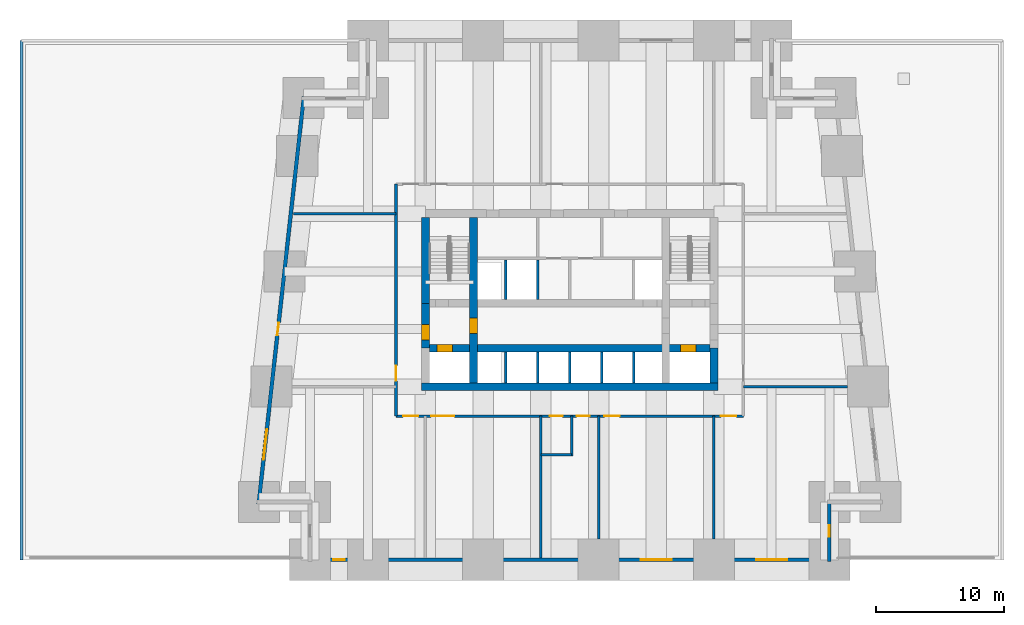
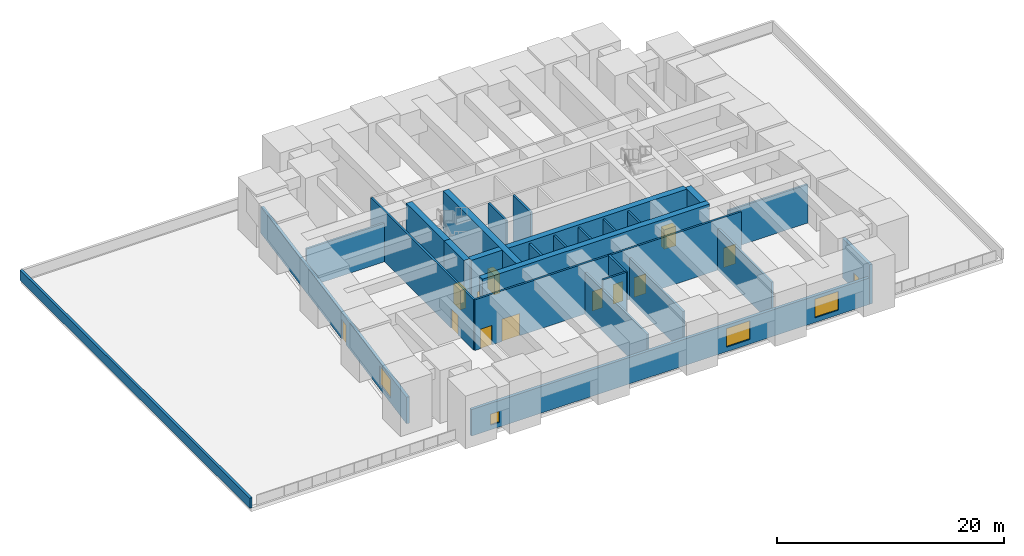
# One storey, part 3 of 7: 26 walls, 12 doors, 5 windows, 17 openings.
"""IFC4 building model written with IfcOpenShell, lengths in metres."""

from ifc_helpers import new_model, si_unit, direction, frame, frame_2d, origin, place, context, subcontext, project, spatial, rectangle, extrude, material, layer, layer_set, type_object, element, fill, save


model = new_model("IFC4")

# Units and contexts
model_context = context("Model", 3, precision=1e-05, world=origin(), true_north=direction((0.0, 1.0)))
body_context = subcontext(model_context, "Body", "Model", "MODEL_VIEW")
ifc_project = project(units=[si_unit("LENGTHUNIT", "METRE"), si_unit("AREAUNIT", "SQUARE_METRE"), si_unit("VOLUMEUNIT", "CUBIC_METRE"), si_unit("PLANEANGLEUNIT", "RADIAN"), si_unit("MASSUNIT", "GRAM", prefix="KILO")], contexts=[model_context])

# Site, building, storey
site_placement = place(None, origin())
site = spatial("IfcSite", under=ifc_project, at=site_placement, CompositionType="ELEMENT")
building_placement = place(site_placement, origin())
building = spatial("IfcBuilding", under=site, at=building_placement, Name="Kilele Tower Hotel", CompositionType="ELEMENT")
storey_placement = place(building_placement, frame((0.0, 0.0, 24.0)))
storey = spatial("IfcBuildingStorey", under=building, at=storey_placement, Name="L04", CompositionType="ELEMENT", Elevation=24.0)

# Wall
ifc_material_1 = material(Name="Concrete C60/75", Category="concrete")
ifc_layer_1 = layer(ifc_material_1, 0.60009765625)
ifc_layer_set_1 = layer_set([ifc_layer_1], Name="Concrete C60/75")
wall_type_1 = type_object("IfcWallType", Name="Core wall 600 C60/75", PredefinedType="SHEAR", material=ifc_layer_set_1)
wall_1_placement = place(storey_placement, frame((13.199951171875, 13.5, 0.0), z_axis=(0.0, 0.0, 1.0), x_axis=(1.0, 0.0, 0.0)))
element("IfcWall", 1, at=wall_1_placement, inside=storey, type_object=wall_type_1, Name="Core wall S L04", PredefinedType="SHEAR", context=body_context, shape_type="SweptSolid", body=[
    extrude(rectangle(XDim=23.10009765625, YDim=0.60009765625, at=frame_2d((11.550048828125, 0.0))), origin(), (0.0, 0.0, 1.0), 5.699951171875),
])

# Wall, opening, door
wall_2_placement = place(storey_placement, frame((17.25, 13.800048828125, 0.0), z_axis=(0.0, 0.0, 1.0), x_axis=(0.0, 1.0, 0.0)))
wall_2 = element("IfcWall", 2, at=wall_2_placement, inside=storey, type_object=wall_type_1, Name="Core wall IW L04", PredefinedType="SHEAR", context=body_context, shape_type="SweptSolid", body=[
    extrude(rectangle(XDim=12.89990234375, YDim=0.60009765625, at=frame_2d((6.449951171875, 0.0))), origin(), (0.0, 0.0, 1.0), 5.699951171875),
])
opening_1_placement = place(wall_2_placement, frame((3.85009765625, 0.0, 0.0)))
opening_1 = element("IfcOpeningElement", 3, at=opening_1_placement, cuts=wall_2, Name="Opening D4", PredefinedType="OPENING", context=body_context, shape_type="SweptSolid", body=[
    extrude(rectangle(XDim=1.199951171875, YDim=2.10009765625, at=frame_2d((0.60009765625, 1.050048828125))), frame((0.0, 0.31005859375, 0.0), z_axis=(0.0, -1.0, 0.0), x_axis=(1.0, 0.0, 0.0)), (0.0, 0.0, 1.0), 0.6201171875),
])
ifc_material_2 = material(Name="Timber door leaf in hardwood frame", Category="wood")
door_type_1 = type_object("IfcDoorType", Name="Firefighting lobby door 1200", OperationType="SINGLE_SWING_LEFT", PredefinedType="DOOR", material=ifc_material_2)
door_1_placement = place(opening_1_placement, origin())
door_1 = element("IfcDoor", 4, at=door_1_placement, inside=storey, type_object=door_type_1, Name="Lobby door L04", OperationType="SINGLE_SWING_LEFT", OverallHeight=2.10009765625, OverallWidth=1.199951171875, PredefinedType="DOOR", context=body_context, shape_type="SweptSolid", body=[
    extrude(rectangle(XDim=1.199951171875, YDim=2.10009765625, at=frame_2d((0.60009765625, 1.050048828125))), frame((0.0, 0.2998046875, 0.0), z_axis=(0.0, -1.0, 0.0), x_axis=(1.0, 0.0, 0.0)), (0.0, 0.0, 1.0), 0.599609375),
])
fill(opening_1, door_1)

# Wall, openings, doors
wall_3_placement = place(storey_placement, frame((13.800048828125, 16.5, 0.0), z_axis=(0.0, 0.0, 1.0), x_axis=(1.0, 0.0, 0.0)))
wall_3 = element("IfcWall", 5, at=wall_3_placement, inside=storey, type_object=wall_type_1, Name="Core wall LS L04", PredefinedType="SHEAR", context=body_context, shape_type="SweptSolid", body=[
    extrude(rectangle(XDim=21.89990234375, YDim=0.60009765625, at=frame_2d((10.949951171875, 0.0))), origin(), (0.0, 0.0, 1.0), 5.699951171875),
])
opening_2_placement = place(wall_3_placement, frame((0.60009765625, 0.0, 0.0)))
opening_2 = element("IfcOpeningElement", 6, at=opening_2_placement, cuts=wall_3, Name="Opening LD2", PredefinedType="OPENING", context=body_context, shape_type="SweptSolid", body=[
    extrude(rectangle(XDim=1.199951171875, YDim=2.10009765625, at=frame_2d((0.60009765625, 1.050048828125))), frame((0.0, 0.31005859375, 0.0), z_axis=(0.0, -1.0, 0.0), x_axis=(1.0, 0.0, 0.0)), (0.0, 0.0, 1.0), 0.6201171875),
])
opening_3_placement = place(wall_3_placement, frame((19.60009765625, 0.0, 0.0)))
opening_3 = element("IfcOpeningElement", 7, at=opening_3_placement, cuts=wall_3, Name="Opening LD2", PredefinedType="OPENING", context=body_context, shape_type="SweptSolid", body=[
    extrude(rectangle(XDim=1.199951171875, YDim=2.10009765625, at=frame_2d((0.60009765625, 1.050048828125))), frame((0.0, 0.31005859375, 0.0), z_axis=(0.0, -1.0, 0.0), x_axis=(1.0, 0.0, 0.0)), (0.0, 0.0, 1.0), 0.6201171875),
])
ifc_material_3 = material(Name="Steel lift landing door", Category="steel")
door_type_2 = type_object("IfcDoorType", Name="Firefighting lift landing door 1200", OperationType="SLIDING_TO_LEFT", PredefinedType="DOOR", material=ifc_material_3)
door_2_placement = place(opening_2_placement, origin())
door_2 = element("IfcDoor", 8, at=door_2_placement, inside=storey, type_object=door_type_2, Name="Landing door FFW L04", OperationType="SLIDING_TO_LEFT", OverallHeight=2.10009765625, OverallWidth=1.199951171875, PredefinedType="DOOR", context=body_context, shape_type="SweptSolid", body=[
    extrude(rectangle(XDim=1.199951171875, YDim=2.10009765625, at=frame_2d((0.60009765625, 1.050048828125))), frame((0.0, 0.2998046875, 0.0), z_axis=(0.0, -1.0, 0.0), x_axis=(1.0, 0.0, 0.0)), (0.0, 0.0, 1.0), 0.599609375),
])
fill(opening_2, door_2)
door_3_placement = place(opening_3_placement, origin())
door_3 = element("IfcDoor", 9, at=door_3_placement, inside=storey, type_object=door_type_2, Name="Landing door FFE L04", OperationType="SLIDING_TO_LEFT", OverallHeight=2.10009765625, OverallWidth=1.199951171875, PredefinedType="DOOR", context=body_context, shape_type="SweptSolid", body=[
    extrude(rectangle(XDim=1.199951171875, YDim=2.10009765625, at=frame_2d((0.60009765625, 1.050048828125))), frame((0.0, 0.2998046875, 0.0), z_axis=(0.0, -1.0, 0.0), x_axis=(1.0, 0.0, 0.0)), (0.0, 0.0, 1.0), 0.599609375),
])
fill(opening_3, door_3)

# Wall
wall_4_placement = place(storey_placement, frame((13.5, 26.699951171875, 0.0), z_axis=(0.0, 0.0, 1.0), x_axis=(0.0, -1.0, 0.0)))
element("IfcWall", 10, at=wall_4_placement, inside=storey, type_object=wall_type_1, Name="Core wall W1 L04", PredefinedType="SHEAR", context=body_context, shape_type="SweptSolid", body=[
    extrude(rectangle(XDim=6.699951171875, YDim=0.60009765625, at=frame_2d((3.35009765625, 0.0))), origin(), (0.0, 0.0, 1.0), 5.699951171875),
])

# Wall, opening, door
wall_5_placement = place(storey_placement, frame((13.5, 20.0, 0.0), z_axis=(0.0, 0.0, 1.0), x_axis=(0.0, -1.0, 0.0)))
wall_5 = element("IfcWall", 11, at=wall_5_placement, inside=storey, type_object=wall_type_1, Name="Core wall W2 L04", PredefinedType="SHEAR", context=body_context, shape_type="SweptSolid", body=[
    extrude(rectangle(XDim=3.5, YDim=0.60009765625, at=frame_2d((1.75, 0.0))), origin(), (0.0, 0.0, 1.0), 5.699951171875),
])
opening_4_placement = place(wall_5_placement, frame((1.64990234375, 0.0, 0.0)))
opening_4 = element("IfcOpeningElement", 12, at=opening_4_placement, cuts=wall_5, Name="Opening D4", PredefinedType="OPENING", context=body_context, shape_type="SweptSolid", body=[
    extrude(rectangle(XDim=1.199951171875, YDim=2.10009765625, at=frame_2d((0.60009765625, 1.050048828125))), frame((0.0, 0.31005859375, 0.0), z_axis=(0.0, -1.0, 0.0), x_axis=(1.0, 0.0, 0.0)), (0.0, 0.0, 1.0), 0.6201171875),
])
door_4_placement = place(opening_4_placement, origin())
door_4 = element("IfcDoor", 13, at=door_4_placement, inside=storey, type_object=door_type_1, Name="Lobby door L04", OperationType="SINGLE_SWING_RIGHT", OverallHeight=2.10009765625, OverallWidth=1.199951171875, PredefinedType="DOOR", context=body_context, shape_type="SweptSolid", body=[
    extrude(rectangle(XDim=1.199951171875, YDim=2.10009765625, at=frame_2d((0.60009765625, 1.050048828125))), frame((0.0, 0.2998046875, 0.0), z_axis=(0.0, -1.0, 0.0), x_axis=(1.0, 0.0, 0.0)), (0.0, 0.0, 1.0), 0.599609375),
])
fill(opening_4, door_4)

# Wall
wall_6_placement = place(storey_placement, frame((36.0, 13.800048828125, 0.0), z_axis=(0.0, 0.0, 1.0), x_axis=(0.0, 1.0, 0.0)))
element("IfcWall", 14, at=wall_6_placement, inside=storey, type_object=wall_type_1, Name="Core wall E1 L04", PredefinedType="SHEAR", context=body_context, shape_type="SweptSolid", body=[
    extrude(rectangle(XDim=2.699951171875, YDim=0.60009765625, at=frame_2d((1.35009765625, 0.0))), origin(), (0.0, 0.0, 1.0), 5.699951171875),
])

# Wall, openings, doors
ifc_material_4 = material(Name="Blockwork, plastered both sides", Category="masonry")
ifc_layer_2 = layer(ifc_material_4, 0.199951171875)
ifc_layer_set_2 = layer_set([ifc_layer_2], Name="Blockwork, plastered both sides")
wall_type_2 = type_object("IfcWallType", Name="Corridor wall 200", PredefinedType="PARTITIONING", material=ifc_layer_set_2)
wall_7_placement = place(storey_placement, frame((11.199951171875, 11.199951171875, 0.0), z_axis=(0.0, 0.0, 1.0), x_axis=(1.0, 0.0, 0.0)))
wall_7 = element("IfcWall", 15, at=wall_7_placement, inside=storey, type_object=wall_type_2, Name="Corridor wall 200 L04", PredefinedType="PARTITIONING", context=body_context, shape_type="SweptSolid", body=[
    extrude(rectangle(XDim=27.10009765625, YDim=0.199951171875, at=frame_2d((13.550048828125, 0.0))), origin(), (0.0, 0.0, 1.0), 5.449951171875),
])
opening_5_placement = place(wall_7_placement, frame((4.550048828125, 0.0, 0.0), z_axis=(0.0, 0.0, 1.0), x_axis=(-1.0, 0.0, 0.0)))
opening_5 = element("IfcOpeningElement", 16, at=opening_5_placement, cuts=wall_7, Name="Opening D9", PredefinedType="OPENING", context=body_context, shape_type="SweptSolid", body=[
    extrude(rectangle(XDim=1.800048828125, YDim=2.39990234375, at=frame_2d((0.89990234375, 1.199951171875))), frame((0.0, 0.10986328125, 0.0), z_axis=(0.0, -1.0, 0.0), x_axis=(1.0, 0.0, 0.0)), (0.0, 0.0, 1.0), 0.219970703125),
])
opening_6_placement = place(wall_7_placement, frame((13.0, 0.0, 0.0), z_axis=(0.0, 0.0, 1.0), x_axis=(-1.0, 0.0, 0.0)))
opening_6 = element("IfcOpeningElement", 17, at=opening_6_placement, cuts=wall_7, Name="Opening D8", PredefinedType="OPENING", context=body_context, shape_type="SweptSolid", body=[
    extrude(rectangle(XDim=1.0, YDim=2.10009765625, at=frame_2d((0.5, 1.050048828125))), frame((0.0, 0.10986328125, 0.0), z_axis=(0.0, -1.0, 0.0), x_axis=(1.0, 0.0, 0.0)), (0.0, 0.0, 1.0), 0.219970703125),
])
opening_7_placement = place(wall_7_placement, frame((15.10009765625, 0.0, 0.0), z_axis=(0.0, 0.0, 1.0), x_axis=(-1.0, 0.0, 0.0)))
opening_7 = element("IfcOpeningElement", 18, at=opening_7_placement, cuts=wall_7, Name="Opening D7", PredefinedType="OPENING", context=body_context, shape_type="SweptSolid", body=[
    extrude(rectangle(XDim=1.0, YDim=2.10009765625, at=frame_2d((0.5, 1.050048828125))), frame((0.0, 0.10986328125, 0.0), z_axis=(0.0, -1.0, 0.0), x_axis=(1.0, 0.0, 0.0)), (0.0, 0.0, 1.0), 0.219970703125),
])
opening_8_placement = place(wall_7_placement, frame((17.449951171875, 0.0, 0.0), z_axis=(0.0, 0.0, 1.0), x_axis=(-1.0, 0.0, 0.0)))
opening_8 = element("IfcOpeningElement", 19, at=opening_8_placement, cuts=wall_7, Name="Opening D7A", PredefinedType="OPENING", context=body_context, shape_type="SweptSolid", body=[
    extrude(rectangle(XDim=1.199951171875, YDim=2.10009765625, at=frame_2d((0.60009765625, 1.050048828125))), frame((0.0, 0.10986328125, 0.0), z_axis=(0.0, -1.0, 0.0), x_axis=(1.0, 0.0, 0.0)), (0.0, 0.0, 1.0), 0.219970703125),
])
opening_9_placement = place(wall_7_placement, frame((1.75, 0.0, 0.0), z_axis=(0.0, 0.0, 1.0), x_axis=(-1.0, 0.0, 0.0)))
opening_9 = element("IfcOpeningElement", 20, at=opening_9_placement, cuts=wall_7, Name="Opening D7A", PredefinedType="OPENING", context=body_context, shape_type="SweptSolid", body=[
    extrude(rectangle(XDim=1.199951171875, YDim=2.10009765625, at=frame_2d((0.60009765625, 1.050048828125))), frame((0.0, 0.10986328125, 0.0), z_axis=(0.0, -1.0, 0.0), x_axis=(1.0, 0.0, 0.0)), (0.0, 0.0, 1.0), 0.219970703125),
])
opening_10_placement = place(wall_7_placement, frame((26.550048828125, 0.0, 0.0), z_axis=(0.0, 0.0, 1.0), x_axis=(-1.0, 0.0, 0.0)))
opening_10 = element("IfcOpeningElement", 21, at=opening_10_placement, cuts=wall_7, Name="Opening D7A", PredefinedType="OPENING", context=body_context, shape_type="SweptSolid", body=[
    extrude(rectangle(XDim=1.199951171875, YDim=2.10009765625, at=frame_2d((0.60009765625, 1.050048828125))), frame((0.0, 0.10986328125, 0.0), z_axis=(0.0, -1.0, 0.0), x_axis=(1.0, 0.0, 0.0)), (0.0, 0.0, 1.0), 0.219970703125),
])
ifc_material_5 = material(Name="Timber door leaf in hardwood frame", Category="wood")
door_type_3 = type_object("IfcDoorType", Name="Door 1000", OperationType="SINGLE_SWING_LEFT", PredefinedType="DOOR", material=ifc_material_5)
door_5_placement = place(opening_6_placement, origin())
door_5 = element("IfcDoor", 22, at=door_5_placement, inside=storey, type_object=door_type_3, Name="Door Accessible WC 0402", OperationType="SINGLE_SWING_RIGHT", OverallHeight=2.10009765625, OverallWidth=1.0, PredefinedType="DOOR", context=body_context, shape_type="SweptSolid", body=[
    extrude(rectangle(XDim=1.0, YDim=2.10009765625, at=frame_2d((0.5, 1.050048828125))), frame((0.0, 0.02490234375, 0.0), z_axis=(0.0, -1.0, 0.0), x_axis=(1.0, 0.0, 0.0)), (0.0, 0.0, 1.0), 0.050048828125),
])
fill(opening_6, door_5)
ifc_material_6 = material(Name="Timber door leaf in hardwood frame", Category="wood")
door_type_4 = type_object("IfcDoorType", Name="Double door 1800", OperationType="DOUBLE_DOOR_SINGLE_SWING", PredefinedType="DOOR", material=ifc_material_6)
door_6_placement = place(opening_5_placement, origin())
door_6 = element("IfcDoor", 23, at=door_6_placement, inside=storey, type_object=door_type_4, Name="Door Refuge area 0401", OperationType="DOUBLE_DOOR_SINGLE_SWING", OverallHeight=2.39990234375, OverallWidth=1.800048828125, PredefinedType="DOOR", context=body_context, shape_type="SweptSolid", body=[
    extrude(rectangle(XDim=1.800048828125, YDim=2.39990234375, at=frame_2d((0.89990234375, 1.199951171875))), frame((0.0, 0.02490234375, 0.0), z_axis=(0.0, -1.0, 0.0), x_axis=(1.0, 0.0, 0.0)), (0.0, 0.0, 1.0), 0.050048828125),
])
fill(opening_5, door_6)
ifc_material_7 = material(Name="Timber door leaf in hardwood frame", Category="wood")
door_type_5 = type_object("IfcDoorType", Name="Plant room door 1000", OperationType="SINGLE_SWING_LEFT", PredefinedType="DOOR", material=ifc_material_7)
door_7_placement = place(opening_7_placement, origin())
door_7 = element("IfcDoor", 24, at=door_7_placement, inside=storey, type_object=door_type_5, Name="Door Building management system room 0403", OperationType="SINGLE_SWING_RIGHT", OverallHeight=2.10009765625, OverallWidth=1.0, PredefinedType="DOOR", context=body_context, shape_type="SweptSolid", body=[
    extrude(rectangle(XDim=1.0, YDim=2.10009765625, at=frame_2d((0.5, 1.050048828125))), frame((0.0, 0.02490234375, 0.0), z_axis=(0.0, -1.0, 0.0), x_axis=(1.0, 0.0, 0.0)), (0.0, 0.0, 1.0), 0.050048828125),
])
fill(opening_7, door_7)
ifc_material_8 = material(Name="Timber door leaf in hardwood frame", Category="wood")
door_type_6 = type_object("IfcDoorType", Name="Plant room door 1200", OperationType="SINGLE_SWING_LEFT", PredefinedType="DOOR", material=ifc_material_8)
door_8_placement = place(opening_8_placement, origin())
door_8 = element("IfcDoor", 25, at=door_8_placement, inside=storey, type_object=door_type_6, Name="Door Ballroom air handling plant room 0404", OperationType="SINGLE_SWING_RIGHT", OverallHeight=2.10009765625, OverallWidth=1.199951171875, PredefinedType="DOOR", context=body_context, shape_type="SweptSolid", body=[
    extrude(rectangle(XDim=1.199951171875, YDim=2.10009765625, at=frame_2d((0.60009765625, 1.050048828125))), frame((0.0, 0.02490234375, 0.0), z_axis=(0.0, -1.0, 0.0), x_axis=(1.0, 0.0, 0.0)), (0.0, 0.0, 1.0), 0.050048828125),
])
fill(opening_8, door_8)
door_9_placement = place(opening_9_placement, origin())
door_9 = element("IfcDoor", 26, at=door_9_placement, inside=storey, type_object=door_type_6, Name="Door Podium smoke extract fan room 0409", OperationType="SINGLE_SWING_LEFT", OverallHeight=2.10009765625, OverallWidth=1.199951171875, PredefinedType="DOOR", context=body_context, shape_type="SweptSolid", body=[
    extrude(rectangle(XDim=1.199951171875, YDim=2.10009765625, at=frame_2d((0.60009765625, 1.050048828125))), frame((0.0, 0.02490234375, 0.0), z_axis=(0.0, -1.0, 0.0), x_axis=(1.0, 0.0, 0.0)), (0.0, 0.0, 1.0), 0.050048828125),
])
fill(opening_9, door_9)
door_10_placement = place(opening_10_placement, origin())
door_10 = element("IfcDoor", 27, at=door_10_placement, inside=storey, type_object=door_type_6, Name="Door Kitchen extract fan room 0410", OperationType="SINGLE_SWING_RIGHT", OverallHeight=2.10009765625, OverallWidth=1.199951171875, PredefinedType="DOOR", context=body_context, shape_type="SweptSolid", body=[
    extrude(rectangle(XDim=1.199951171875, YDim=2.10009765625, at=frame_2d((0.60009765625, 1.050048828125))), frame((0.0, 0.02490234375, 0.0), z_axis=(0.0, -1.0, 0.0), x_axis=(1.0, 0.0, 0.0)), (0.0, 0.0, 1.0), 0.050048828125),
])
fill(opening_10, door_10)

# Wall, opening, door
wall_8_placement = place(storey_placement, frame((11.199951171875, 11.199951171875, 0.0), z_axis=(0.0, 0.0, 1.0), x_axis=(0.0, 1.0, 0.0)))
wall_8 = element("IfcWall", 28, at=wall_8_placement, inside=storey, type_object=wall_type_2, Name="Corridor wall 200 L04", PredefinedType="PARTITIONING", context=body_context, shape_type="SweptSolid", body=[
    extrude(rectangle(XDim=18.10009765625, YDim=0.199951171875, at=frame_2d((9.050048828125, 0.0))), origin(), (0.0, 0.0, 1.0), 5.449951171875),
])
opening_11_placement = place(wall_8_placement, frame((2.75, 0.0, 0.0)))
opening_11 = element("IfcOpeningElement", 29, at=opening_11_placement, cuts=wall_8, Name="Opening D7A", PredefinedType="OPENING", context=body_context, shape_type="SweptSolid", body=[
    extrude(rectangle(XDim=1.199951171875, YDim=2.10009765625, at=frame_2d((0.60009765625, 1.050048828125))), frame((0.0, 0.10986328125, 0.0), z_axis=(0.0, -1.0, 0.0), x_axis=(1.0, 0.0, 0.0)), (0.0, 0.0, 1.0), 0.219970703125),
])
door_11_placement = place(opening_11_placement, origin())
door_11 = element("IfcDoor", 30, at=door_11_placement, inside=storey, type_object=door_type_6, Name="Door Conference air handling plant room 0408", OperationType="SINGLE_SWING_LEFT", OverallHeight=2.10009765625, OverallWidth=1.199951171875, PredefinedType="DOOR", context=body_context, shape_type="SweptSolid", body=[
    extrude(rectangle(XDim=1.199951171875, YDim=2.10009765625, at=frame_2d((0.60009765625, 1.050048828125))), frame((0.0, 0.02490234375, 0.0), z_axis=(0.0, -1.0, 0.0), x_axis=(1.0, 0.0, 0.0)), (0.0, 0.0, 1.0), 0.050048828125),
])
fill(opening_11, door_11)

# Walls
ifc_material_9 = material(Name="Concrete C40/50 precast", Category="concrete")
ifc_layer_3 = layer(ifc_material_9, 0.2099609375, Name="Precast backing", Category="LoadBearing")
ifc_material_10 = material(Name="Reconstituted stone finish", Category="masonry")
ifc_layer_4 = layer(ifc_material_10, 0.0400390625, Name="Face mix", Category="Finish")
ifc_layer_set_3 = layer_set([ifc_layer_3, ifc_layer_4], Name="Precast concrete C40/50, reconstituted stone finish")
wall_type_3 = type_object("IfcWallType", Name="Parapet wall 250", PredefinedType="PARAPET", material=ifc_layer_set_3)
wall_9_placement = place(storey_placement, frame((-18.0, 0.0, 0.0), z_axis=(0.0, 0.0, 1.0), x_axis=(0.0, 1.0, 0.0)))
element("IfcWall", 31, at=wall_9_placement, inside=storey, type_object=wall_type_3, Name="Podium roof parapet", PredefinedType="PARAPET", context=body_context, shape_type="SweptSolid", body=[
    extrude(rectangle(XDim=40.5, YDim=0.25, at=frame_2d((20.25, 0.0))), origin(), (0.0, 0.0, 1.0), 1.10009765625),
])
ifc_material_11 = material(Name="Blockwork, plastered both sides", Category="masonry")
ifc_layer_5 = layer(ifc_material_11, 0.199951171875)
ifc_layer_set_4 = layer_set([ifc_layer_5], Name="Blockwork, plastered both sides")
wall_type_4 = type_object("IfcWallType", Name="Partition wall 200", PredefinedType="PARTITIONING", material=ifc_layer_set_4)
wall_10_placement = place(storey_placement, frame((22.5, 11.199951171875, 0.0), z_axis=(0.0, 0.0, 1.0), x_axis=(0.0, -1.0, 0.0)))
element("IfcWall", 32, at=wall_10_placement, inside=storey, type_object=wall_type_4, Name="Partition wall 200 L04", PredefinedType="PARTITIONING", context=body_context, shape_type="SweptSolid", body=[
    extrude(rectangle(XDim=11.050048828125, YDim=0.199951171875, at=frame_2d((5.52490234375, 0.0))), origin(), (0.0, 0.0, 1.0), 4.449951171875),
])
for number, where, z_axis, x_axis, name in (
    (33, (27.0, 11.199951171875, 0.0), (0.0, 0.0, 1.0), (0.0, -1.0, 0.0), "Partition wall 200 L04"),
    (34, (36.0, 11.199951171875, 0.0), (0.0, 0.0, 1.0), (0.0, -1.0, 0.0), "Partition wall 200 L04"),
):
    element("IfcWall", number, at=place(storey_placement, frame(where, z_axis=z_axis, x_axis=x_axis)), inside=storey, type_object=wall_type_4, Name=name, PredefinedType="PARTITIONING", context=body_context, shape_type="SweptSolid", body=[
        extrude(rectangle(XDim=9.58984375, YDim=0.199951171875, at=frame_2d((4.794921875, 0.0))), origin(), (0.0, 0.0, 1.0), 4.449951171875),
    ])
wall_11_placement = place(storey_placement, frame((38.300048828125, 13.5, 0.0), z_axis=(0.0, 0.0, 1.0), x_axis=(1.0, 0.0, 0.0)))
element("IfcWall", 35, at=wall_11_placement, inside=storey, type_object=wall_type_4, Name="Partition wall 200 L04", PredefinedType="PARTITIONING", context=body_context, shape_type="SweptSolid", body=[
    extrude(rectangle(XDim=8.09912109375, YDim=0.199951171875, at=frame_2d((4.049560546875, 0.0))), origin(), (0.0, 0.0, 1.0), 4.14990234375),
])
wall_12_placement = place(storey_placement, frame((11.199951171875, 27.0, 0.0), z_axis=(0.0, 0.0, 1.0), x_axis=(-1.0, 0.0, 0.0)))
element("IfcWall", 36, at=wall_12_placement, inside=storey, type_object=wall_type_4, Name="Partition wall 200 L04", PredefinedType="PARTITIONING", context=body_context, shape_type="SweptSolid", body=[
    extrude(rectangle(XDim=7.9990234375, YDim=0.199951171875, at=frame_2d((3.99951171875, 0.0))), origin(), (0.0, 0.0, 1.0), 4.14990234375),
])
wall_13_placement = place(storey_placement, frame((24.89990234375, 11.199951171875, 0.0), z_axis=(0.0, 0.0, 1.0), x_axis=(0.0, -1.0, 0.0)))
element("IfcWall", 37, at=wall_13_placement, inside=storey, type_object=wall_type_4, Name="Partition wall 200 L04", PredefinedType="PARTITIONING", context=body_context, shape_type="SweptSolid", body=[
    extrude(rectangle(XDim=3.099853515625, YDim=0.199951171875, at=frame_2d((1.5498046875, 0.0))), origin(), (0.0, 0.0, 1.0), 5.449951171875),
])
wall_14_placement = place(storey_placement, frame((22.5, 8.199951171875, 0.0), z_axis=(0.0, 0.0, 1.0), x_axis=(1.0, 0.0, 0.0)))
element("IfcWall", 38, at=wall_14_placement, inside=storey, type_object=wall_type_4, Name="Partition wall 200 L04", PredefinedType="PARTITIONING", context=body_context, shape_type="SweptSolid", body=[
    extrude(rectangle(XDim=2.39990234375, YDim=0.199951171875, at=frame_2d((1.199951171875, 0.0))), origin(), (0.0, 0.0, 1.0), 5.449951171875),
])

# Wall, openings, windows
ifc_material_12 = material(Name="Concrete C40/50 precast", Category="concrete")
ifc_layer_6 = layer(ifc_material_12, 0.260009765625, Name="Precast backing", Category="LoadBearing")
ifc_material_13 = material(Name="Reconstituted stone finish", Category="masonry")
ifc_layer_7 = layer(ifc_material_13, 0.0400390625, Name="Face mix", Category="Finish")
ifc_layer_set_5 = layer_set([ifc_layer_6, ifc_layer_7], Name="Precast concrete C40/50, reconstituted stone finish")
wall_type_5 = type_object("IfcWallType", Name="Precast stone facade wall 300", PredefinedType="STANDARD", material=ifc_layer_set_5)
wall_15_placement = place(storey_placement, frame((4.35009765625, 0.0, 0.0), z_axis=(0.0, 0.0, 1.0), x_axis=(1.0, 0.0, 0.0)))
wall_15 = element("IfcWall", 39, at=wall_15_placement, inside=storey, type_object=wall_type_5, Name="Facade wall L04 edge 3", PredefinedType="STANDARD", context=body_context, shape_type="SweptSolid", body=[
    extrude(rectangle(XDim=40.7998046875, YDim=0.300048828125, at=frame_2d((20.39990234375, 0.0))), origin(), (0.0, 0.0, 1.0), 2.85009765625),
])
opening_12_placement = place(wall_15_placement, frame((1.949951171875, 0.0, 0.5)))
opening_12 = element("IfcOpeningElement", 40, at=opening_12_placement, cuts=wall_15, Name="Opening LV1", PredefinedType="OPENING", context=body_context, shape_type="SweptSolid", body=[
    extrude(rectangle(XDim=0.89990234375, YDim=1.199951171875, at=frame_2d((0.449951171875, 0.60009765625))), frame((0.0, 0.159912109375, 0.0), z_axis=(0.0, -1.0, 0.0), x_axis=(1.0, 0.0, 0.0)), (0.0, 0.0, 1.0), 0.320068359375),
])
opening_13_placement = place(wall_15_placement, frame((25.949951171875, 0.0, 0.5)))
opening_13 = element("IfcOpeningElement", 41, at=opening_13_placement, cuts=wall_15, Name="Opening LV1", PredefinedType="OPENING", context=body_context, shape_type="SweptSolid", body=[
    extrude(rectangle(XDim=2.39990234375, YDim=2.0, at=frame_2d((1.199951171875, 1.0))), frame((0.0, 0.159912109375, 0.0), z_axis=(0.0, -1.0, 0.0), x_axis=(1.0, 0.0, 0.0)), (0.0, 0.0, 1.0), 0.320068359375),
])
opening_14_placement = place(wall_15_placement, frame((34.949951171875, 0.0, 0.5)))
opening_14 = element("IfcOpeningElement", 42, at=opening_14_placement, cuts=wall_15, Name="Opening LV1", PredefinedType="OPENING", context=body_context, shape_type="SweptSolid", body=[
    extrude(rectangle(XDim=2.39990234375, YDim=2.0, at=frame_2d((1.199951171875, 1.0))), frame((0.0, 0.159912109375, 0.0), z_axis=(0.0, -1.0, 0.0), x_axis=(1.0, 0.0, 0.0)), (0.0, 0.0, 1.0), 0.320068359375),
])
ifc_material_14 = material(Name="Aluminium weather louvre with insect mesh", Category="aluminium")
window_type_1 = type_object("IfcWindowType", Name="Ventilation louvre 2400 x 2000", PartitioningType="SINGLE_PANEL", PredefinedType="USERDEFINED", material=ifc_material_14)
window_1_placement = place(opening_13_placement, origin())
window_1 = element("IfcWindow", 43, at=window_1_placement, inside=storey, type_object=window_type_1, Name="Louvre L04", ObjectType="LOUVRE", OverallHeight=2.0, OverallWidth=2.39990234375, PartitioningType="SINGLE_PANEL", PredefinedType="USERDEFINED", context=body_context, shape_type="SweptSolid", body=[
    extrude(rectangle(XDim=2.39990234375, YDim=2.0, at=frame_2d((1.199951171875, 1.0))), frame((0.0, 0.030029296875, 0.0), z_axis=(0.0, -1.0, 0.0), x_axis=(1.0, 0.0, 0.0)), (0.0, 0.0, 1.0), 0.06005859375),
])
fill(opening_13, window_1)
window_2_placement = place(opening_14_placement, origin())
window_2 = element("IfcWindow", 44, at=window_2_placement, inside=storey, type_object=window_type_1, Name="Louvre L04", ObjectType="LOUVRE", OverallHeight=2.0, OverallWidth=2.39990234375, PartitioningType="SINGLE_PANEL", PredefinedType="USERDEFINED", context=body_context, shape_type="SweptSolid", body=[
    extrude(rectangle(XDim=2.39990234375, YDim=2.0, at=frame_2d((1.199951171875, 1.0))), frame((0.0, 0.030029296875, 0.0), z_axis=(0.0, -1.0, 0.0), x_axis=(1.0, 0.0, 0.0)), (0.0, 0.0, 1.0), 0.06005859375),
])
fill(opening_14, window_2)
ifc_material_15 = material(Name="Aluminium weather louvre with insect mesh", Category="aluminium")
window_type_2 = type_object("IfcWindowType", Name="Ventilation louvre 900 x 1200", PartitioningType="SINGLE_PANEL", PredefinedType="USERDEFINED", material=ifc_material_15)
window_3_placement = place(opening_12_placement, origin())
window_3 = element("IfcWindow", 45, at=window_3_placement, inside=storey, type_object=window_type_2, Name="Louvre L04", ObjectType="LOUVRE", OverallHeight=1.199951171875, OverallWidth=0.89990234375, PartitioningType="SINGLE_PANEL", PredefinedType="USERDEFINED", context=body_context, shape_type="SweptSolid", body=[
    extrude(rectangle(XDim=0.89990234375, YDim=1.199951171875, at=frame_2d((0.449951171875, 0.60009765625))), frame((0.0, 0.030029296875, 0.0), z_axis=(0.0, -1.0, 0.0), x_axis=(1.0, 0.0, 0.0)), (0.0, 0.0, 1.0), 0.06005859375),
])
fill(opening_12, window_3)

# Wall, opening, window
wall_16_placement = place(storey_placement, frame((45.0, -0.14990234375, 0.0), z_axis=(0.0, 0.0, 1.0), x_axis=(0.0, 1.0, 0.0)))
wall_16 = element("IfcWall", 46, at=wall_16_placement, inside=storey, type_object=wall_type_5, Name="Facade wall L04 edge 4", PredefinedType="STANDARD", context=body_context, shape_type="SweptSolid", body=[
    extrude(rectangle(XDim=4.7998046875, YDim=0.300048828125, at=frame_2d((2.39990234375, 0.0))), origin(), (0.0, 0.0, 1.0), 4.25),
])
opening_15_placement = place(wall_16_placement, frame((1.949951171875, 0.0, 0.5)))
opening_15 = element("IfcOpeningElement", 47, at=opening_15_placement, cuts=wall_16, Name="Opening LV1", PredefinedType="OPENING", context=body_context, shape_type="SweptSolid", body=[
    extrude(rectangle(XDim=0.89990234375, YDim=1.199951171875, at=frame_2d((0.449951171875, 0.60009765625))), frame((0.0, 0.159912109375, 0.0), z_axis=(0.0, -1.0, 0.0), x_axis=(1.0, 0.0, 0.0)), (0.0, 0.0, 1.0), 0.320068359375),
])
window_4_placement = place(opening_15_placement, origin())
window_4 = element("IfcWindow", 48, at=window_4_placement, inside=storey, type_object=window_type_2, Name="Louvre L04", ObjectType="LOUVRE", OverallHeight=1.199951171875, OverallWidth=0.89990234375, PartitioningType="SINGLE_PANEL", PredefinedType="USERDEFINED", context=body_context, shape_type="SweptSolid", body=[
    extrude(rectangle(XDim=0.89990234375, YDim=1.199951171875, at=frame_2d((0.449951171875, 0.60009765625))), frame((0.0, 0.030029296875, 0.0), z_axis=(0.0, -1.0, 0.0), x_axis=(1.0, 0.0, 0.0)), (0.0, 0.0, 1.0), 0.06005859375),
])
fill(opening_15, window_4)

# Wall, openings, door, window
wall_17_placement = place(storey_placement, frame((4.0166015625, 36.149169921875, 0.0), z_axis=(0.0, 0.0, 1.0), x_axis=(-0.110433201132, -0.993883548555, 0.0)))
wall_17 = element("IfcWall", 49, at=wall_17_placement, inside=storey, type_object=wall_type_5, Name="Facade wall L04 edge 12", PredefinedType="STANDARD", context=body_context, shape_type="SweptSolid", body=[
    extrude(rectangle(XDim=31.994140625, YDim=0.300048828125, at=frame_2d((15.9970703125, 0.0))), origin(), (0.0, 0.0, 1.0), 2.85009765625),
])
opening_16_placement = place(wall_17_placement, frame((17.760986328125, 0.0, 0.0)))
opening_16 = element("IfcOpeningElement", 50, at=opening_16_placement, cuts=wall_17, Name="Opening RD1", PredefinedType="OPENING", context=body_context, shape_type="SweptSolid", body=[
    extrude(rectangle(XDim=1.0, YDim=2.10009765625, at=frame_2d((0.5, 1.050048828125))), frame((0.0, 0.159912109375, 0.0), z_axis=(0.0, -1.0, 0.0), x_axis=(1.0, 0.0, 0.0)), (0.0, 0.0, 1.0), 0.320068359375),
])
opening_17_placement = place(wall_17_placement, frame((26.115966796875, 0.0, 0.5)))
opening_17 = element("IfcOpeningElement", 51, at=opening_17_placement, cuts=wall_17, Name="Opening LV1", PredefinedType="OPENING", context=body_context, shape_type="SweptSolid", body=[
    extrude(rectangle(XDim=2.39990234375, YDim=2.0, at=frame_2d((1.199951171875, 1.0))), frame((0.0, 0.159912109375, 0.0), z_axis=(0.0, -1.0, 0.0), x_axis=(1.0, 0.0, 0.0)), (0.0, 0.0, 1.0), 0.320068359375),
])
ifc_material_16 = material(Name="Aluminium frame, clear glazing", Category="aluminium")
door_type_7 = type_object("IfcDoorType", Name="Roof access door 1000", OperationType="SINGLE_SWING_LEFT", PredefinedType="DOOR", material=ifc_material_16)
door_12_placement = place(opening_16_placement, origin())
door_12 = element("IfcDoor", 52, at=door_12_placement, inside=storey, type_object=door_type_7, Name="Roof access door L04", OperationType="SINGLE_SWING_RIGHT", OverallHeight=2.10009765625, OverallWidth=1.0, PredefinedType="DOOR", context=body_context, shape_type="SweptSolid", body=[
    extrude(rectangle(XDim=1.0, YDim=2.10009765625, at=frame_2d((0.5, 1.050048828125))), frame((0.0, 0.02490234375, 0.0), z_axis=(0.0, -1.0, 0.0), x_axis=(1.0, 0.0, 0.0)), (0.0, 0.0, 1.0), 0.050048828125),
])
fill(opening_16, door_12)
window_5_placement = place(opening_17_placement, origin())
window_5 = element("IfcWindow", 53, at=window_5_placement, inside=storey, type_object=window_type_1, Name="Louvre L04", ObjectType="LOUVRE", OverallHeight=2.0, OverallWidth=2.39990234375, PartitioningType="SINGLE_PANEL", PredefinedType="USERDEFINED", context=body_context, shape_type="SweptSolid", body=[
    extrude(rectangle(XDim=2.39990234375, YDim=2.0, at=frame_2d((1.199951171875, 1.0))), frame((0.0, 0.030029296875, 0.0), z_axis=(0.0, -1.0, 0.0), x_axis=(1.0, 0.0, 0.0)), (0.0, 0.0, 1.0), 0.06005859375),
])
fill(opening_17, window_5)

# Walls
ifc_material_17 = material(Name="Blockwork, fire-rated", Category="masonry")
ifc_layer_8 = layer(ifc_material_17, 0.199951171875)
ifc_layer_set_6 = layer_set([ifc_layer_8], Name="Blockwork, fire-rated")
wall_type_6 = type_object("IfcWallType", Name="Shaft wall 200", PredefinedType="PARTITIONING", material=ifc_layer_set_6)
wall_18_placement = place(storey_placement, frame((19.75, 13.800048828125, 0.0), z_axis=(0.0, 0.0, 1.0), x_axis=(0.0, 1.0, 0.0)))
element("IfcWall", 54, at=wall_18_placement, inside=storey, type_object=wall_type_6, Name="Shaft wall 200 L04", PredefinedType="PARTITIONING", context=body_context, shape_type="SweptSolid", body=[
    extrude(rectangle(XDim=2.39990234375, YDim=0.199951171875, at=frame_2d((1.199951171875, 0.0))), origin(), (0.0, 0.0, 1.0), 5.449951171875),
])
wall_19_placement = place(storey_placement, frame((19.75, 20.300048828125, 0.0), z_axis=(0.0, 0.0, 1.0), x_axis=(0.0, 1.0, 0.0)))
element("IfcWall", 55, at=wall_19_placement, inside=storey, type_object=wall_type_6, Name="Shaft wall 200 L04", PredefinedType="PARTITIONING", context=body_context, shape_type="SweptSolid", body=[
    extrude(rectangle(XDim=3.099853515625, YDim=0.199951171875, at=frame_2d((1.5498046875, 0.0))), origin(), (0.0, 0.0, 1.0), 5.449951171875),
])
wall_20_placement = place(storey_placement, frame((22.25, 13.800048828125, 0.0), z_axis=(0.0, 0.0, 1.0), x_axis=(0.0, 1.0, 0.0)))
element("IfcWall", 56, at=wall_20_placement, inside=storey, type_object=wall_type_6, Name="Shaft wall 200 L04", PredefinedType="PARTITIONING", context=body_context, shape_type="SweptSolid", body=[
    extrude(rectangle(XDim=2.39990234375, YDim=0.199951171875, at=frame_2d((1.199951171875, 0.0))), origin(), (0.0, 0.0, 1.0), 5.449951171875),
])
wall_21_placement = place(storey_placement, frame((22.25, 20.300048828125, 0.0), z_axis=(0.0, 0.0, 1.0), x_axis=(0.0, 1.0, 0.0)))
element("IfcWall", 57, at=wall_21_placement, inside=storey, type_object=wall_type_6, Name="Shaft wall 200 L04", PredefinedType="PARTITIONING", context=body_context, shape_type="SweptSolid", body=[
    extrude(rectangle(XDim=3.099853515625, YDim=0.199951171875, at=frame_2d((1.5498046875, 0.0))), origin(), (0.0, 0.0, 1.0), 5.449951171875),
])
for number, where, z_axis, x_axis, name in (
    (58, (24.75, 13.800048828125, 0.0), (0.0, 0.0, 1.0), (0.0, 1.0, 0.0), "Shaft wall 200 L04"),
    (59, (27.25, 13.800048828125, 0.0), (0.0, 0.0, 1.0), (0.0, 1.0, 0.0), "Shaft wall 200 L04"),
    (60, (29.75, 13.800048828125, 0.0), (0.0, 0.0, 1.0), (0.0, 1.0, 0.0), "Shaft wall 200 L04"),
):
    element("IfcWall", number, at=place(storey_placement, frame(where, z_axis=z_axis, x_axis=x_axis)), inside=storey, type_object=wall_type_6, Name=name, PredefinedType="PARTITIONING", context=body_context, shape_type="SweptSolid", body=[
        extrude(rectangle(XDim=2.39990234375, YDim=0.199951171875, at=frame_2d((1.199951171875, 0.0))), origin(), (0.0, 0.0, 1.0), 5.449951171875),
    ])

save(model, "model.ifc")
